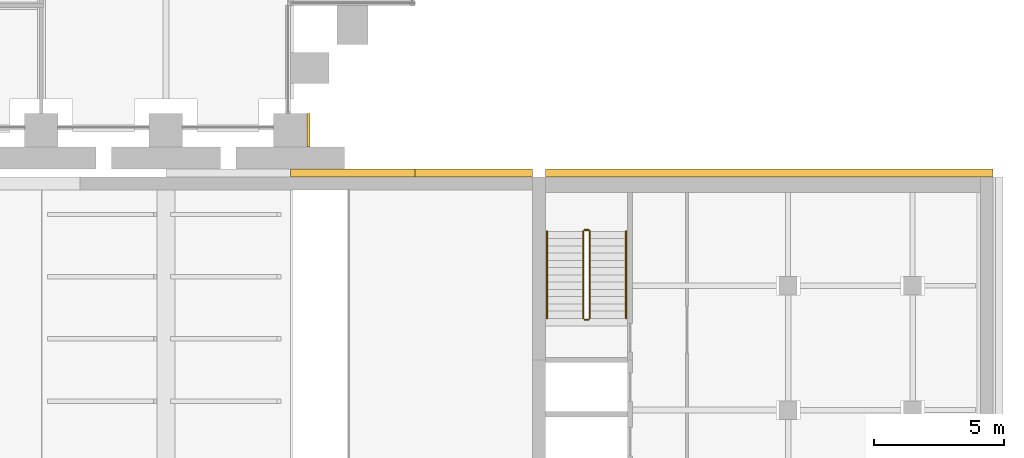
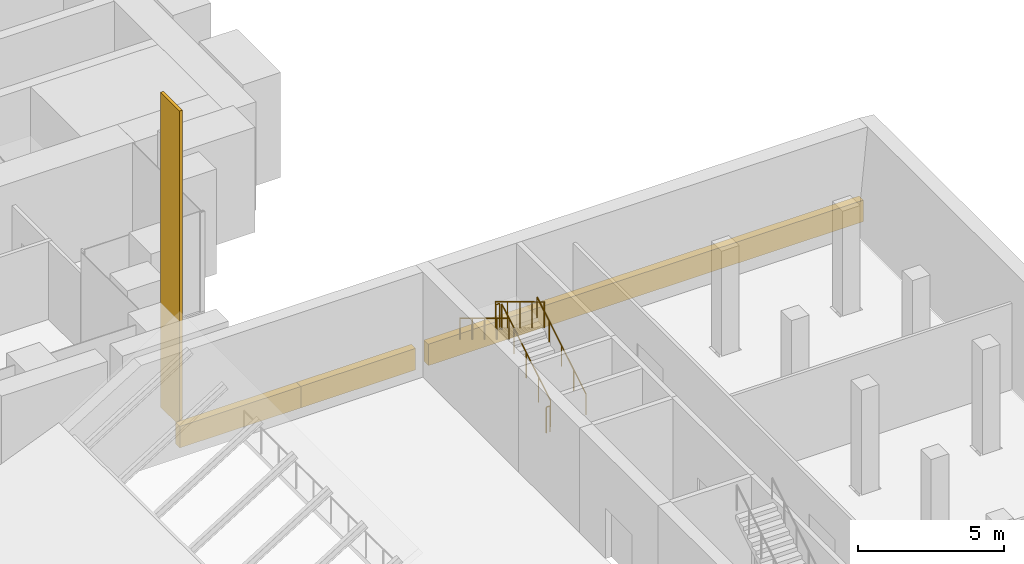
# One storey, part 31 of 32: 6 railings, 4 coverings.
"""IFC4 building model written with IfcOpenShell, lengths in metres."""

from ifc_helpers import new_model, si_unit, direction, frame, origin, origin_2d, place, context, subcontext, project, spatial, polyline, rectangle, circle, outline, extrude, material, layer, layer_set, type_object, element, save


model = new_model("IFC4")

# Units and contexts
model_context = context("Model", 3, precision=1e-05, world=origin(), true_north=direction((0.0, 1.0)))
body_context = subcontext(model_context, "Body", "Model", "MODEL_VIEW")
ifc_project = project(units=[si_unit("LENGTHUNIT", "METRE"), si_unit("AREAUNIT", "SQUARE_METRE"), si_unit("VOLUMEUNIT", "CUBIC_METRE"), si_unit("PLANEANGLEUNIT", "RADIAN"), si_unit("MASSUNIT", "GRAM", prefix="KILO")], contexts=[model_context])

# Site, building, storey
site_placement = place(None, origin())
site = spatial("IfcSite", under=ifc_project, at=site_placement, CompositionType="ELEMENT")
building_placement = place(site_placement, origin())
building = spatial("IfcBuilding", under=site, at=building_placement, Name="Baori Bourse Tower", CompositionType="ELEMENT")
storey_placement = place(building_placement, frame((0.0, 0.0, 12.60009765625)))
storey = spatial("IfcBuildingStorey", under=building, at=storey_placement, Name="L01", CompositionType="ELEMENT", Elevation=12.60009765625)

# Coverings
ifc_material_1 = material(Name="Face brick", Category="masonry")
ifc_layer_1 = layer(ifc_material_1, 0.110107421875)
ifc_layer_set_1 = layer_set([ifc_layer_1], Name="PC1 Brick pier facing")
covering_type_1 = type_object("IfcCoveringType", Name="PC1 Brick pier facing", PredefinedType="CLADDING", material=ifc_layer_set_1)
covering_1_placement = place(storey_placement, frame((48.705078125, 0.0, 0.0), z_axis=(0.0, 0.0, 1.0), x_axis=(1.0, 0.0, 0.0)))
element("IfcCovering", 1, at=covering_1_placement, inside=storey, type_object=covering_type_1, Name="Brick pier facing L01 3", PredefinedType="CLADDING", context=body_context, shape_type="SweptSolid", body=[
    extrude(rectangle(XDim=0.110107421875, YDim=1.300048828125, at=origin_2d()), origin(), (0.0, 0.0, 1.0), 13.199951171875),
])
ifc_material_2 = material(Name="Pale anodised aluminium", Category="aluminium")
ifc_layer_2 = layer(ifc_material_2, 0.300048828125)
ifc_layer_set_2 = layer_set([ifc_layer_2], Name="Pale metal band 900x300")
covering_type_2 = type_object("IfcCoveringType", Name="Pale metal band 900x300", PredefinedType="CLADDING", material=ifc_layer_set_2)
covering_2_placement = place(storey_placement, origin())
element("IfcCovering", 2, at=covering_2_placement, inside=storey, type_object=covering_type_2, Name="BAND", PredefinedType="CLADDING", context=body_context, shape_type="SweptSolid", body=[
    extrude(outline(polyline([(48.0, -1.800048828125), (52.800048828125, -1.800048828125), (52.800048828125, -1.5), (48.0, -1.5), (48.0, -1.800048828125)])), origin(), (0.0, 0.0, 1.0), 0.89990234375),
])
covering_3_placement = place(storey_placement, origin())
element("IfcCovering", 3, at=covering_3_placement, inside=storey, type_object=covering_type_2, Name="BAND", PredefinedType="CLADDING", context=body_context, shape_type="SweptSolid", body=[
    extrude(outline(polyline([(52.800048828125, -1.800048828125), (57.35009765625, -1.800048828125), (57.35009765625, -1.5), (52.800048828125, -1.5), (52.800048828125, -1.800048828125)])), origin(), (0.0, 0.0, 1.0), 0.89990234375),
])
covering_4_placement = place(storey_placement, origin())
element("IfcCovering", 4, at=covering_4_placement, inside=storey, type_object=covering_type_2, Name="BAND", PredefinedType="CLADDING", context=body_context, shape_type="SweptSolid", body=[
    extrude(outline(polyline([(75.105224609375, -1.5), (57.85009765625, -1.5), (57.85009765625, -1.800048828125), (75.105224609375, -1.800048828125), (75.105224609375, -1.5)])), origin(), (0.0, 0.0, 1.0), 0.89990234375),
])

# Railings
ifc_material_3 = material(Name="Stainless steel AISI 316", Category="steel")
railing_type_1 = type_object("IfcRailingType", Name="Wing guard 1100", PredefinedType="GUARDRAIL", material=ifc_material_3)
railing_1_placement = place(storey_placement, frame((59.550048828125, -7.260009765625, 0.169189453125)))
element("IfcRailing", 5, at=railing_1_placement, inside=storey, type_object=railing_type_1, Name="L01 E-STA stair guard 1", PredefinedType="GUARDRAIL", context=body_context, shape_type="SweptSolid", body=[
    extrude(circle(Radius=0.02392578125, at=origin_2d()), frame((0.0, 0.0, 1.076171875), z_axis=(0.0, 0.855836976705, 0.517245656632), x_axis=(-1.0, 0.0, 0.0)), (0.0, 0.0, 1.0), 3.926025390625),
    extrude(circle(Radius=0.02099609375, at=origin_2d()), origin(), (0.0, 0.0, 1.0), 1.052001953125),
    extrude(circle(Radius=0.02099609375, at=origin_2d()), frame((0.0, 0.840087890625, 0.5078125)), (0.0, 0.0, 1.0), 1.052001953125),
    extrude(circle(Radius=0.02099609375, at=origin_2d()), frame((0.0, 1.68017578125, 1.015380859375)), (0.0, 0.0, 1.0), 1.052001953125),
    extrude(circle(Radius=0.02099609375, at=origin_2d()), frame((0.0, 2.52001953125, 1.52294921875)), (0.0, 0.0, 1.0), 1.052001953125),
    extrude(circle(Radius=0.02099609375, at=origin_2d()), frame((0.0, 3.360107421875, 2.03076171875)), (0.0, 0.0, 1.0), 1.052001953125),
])
railing_2_placement = place(storey_placement, frame((59.5, -3.85009765625, 2.199951171875)))
element("IfcRailing", 6, at=railing_2_placement, inside=storey, type_object=railing_type_1, Name="L01 E-STA stair guard 2", PredefinedType="GUARDRAIL", context=body_context, shape_type="SweptSolid", body=[
    extrude(circle(Radius=0.02392578125, at=origin_2d()), frame((0.0, 0.0, 1.076171875), z_axis=(-1.0, 0.0, 0.0), x_axis=(0.0, -1.0, 0.0)), (0.0, 0.0, 1.0), 0.14990234375),
    extrude(circle(Radius=0.02099609375, at=origin_2d()), origin(), (0.0, 0.0, 1.0), 1.052001953125),
    extrude(circle(Radius=0.02099609375, at=origin_2d()), frame((-0.14990234375, 0.0, 0.0)), (0.0, 0.0, 1.0), 1.052001953125),
])
railing_3_placement = place(storey_placement, frame((59.300048828125, -3.89990234375, 2.369140625)))
element("IfcRailing", 7, at=railing_3_placement, inside=storey, type_object=railing_type_1, Name="L01 E-STA stair guard 3", PredefinedType="GUARDRAIL", context=body_context, shape_type="SweptSolid", body=[
    extrude(circle(Radius=0.02392578125, at=origin_2d()), frame((0.0, 0.0, 1.076171875), z_axis=(0.0, -0.855836976705, 0.517245656632), x_axis=(1.0, 0.0, 0.0)), (0.0, 0.0, 1.0), 3.926025390625),
    extrude(circle(Radius=0.02099609375, at=origin_2d()), origin(), (0.0, 0.0, 1.0), 1.052001953125),
    extrude(circle(Radius=0.02099609375, at=origin_2d()), frame((0.0, -0.840087890625, 0.5078125)), (0.0, 0.0, 1.0), 1.052001953125),
    extrude(circle(Radius=0.02099609375, at=origin_2d()), frame((0.0, -1.68017578125, 1.015380859375)), (0.0, 0.0, 1.0), 1.052001953125),
    extrude(circle(Radius=0.02099609375, at=origin_2d()), frame((0.0, -2.52001953125, 1.52294921875)), (0.0, 0.0, 1.0), 1.052001953125),
    extrude(circle(Radius=0.02099609375, at=origin_2d()), frame((0.0, -3.360107421875, 2.03076171875)), (0.0, 0.0, 1.0), 1.052001953125),
])
railing_4_placement = place(storey_placement, frame((59.5, -7.31005859375, 0.0)))
element("IfcRailing", 8, at=railing_4_placement, inside=storey, type_object=railing_type_1, Name="L01 E-STA stair guard 4", PredefinedType="GUARDRAIL", context=body_context, shape_type="SweptSolid", body=[
    extrude(circle(Radius=0.02392578125, at=origin_2d()), frame((0.0, 0.0, 1.076171875), z_axis=(-1.0, 0.0, 0.0), x_axis=(0.0, -1.0, 0.0)), (0.0, 0.0, 1.0), 0.14990234375),
    extrude(circle(Radius=0.02099609375, at=origin_2d()), origin(), (0.0, 0.0, 1.0), 1.052001953125),
    extrude(circle(Radius=0.02099609375, at=origin_2d()), frame((-0.14990234375, 0.0, 0.0)), (0.0, 0.0, 1.0), 1.052001953125),
])
ifc_material_4 = material(Name="Stainless steel AISI 316", Category="steel")
railing_type_2 = type_object("IfcRailingType", Name="Wing handrail 900", PredefinedType="HANDRAIL", material=ifc_material_4)
railing_5_placement = place(storey_placement, frame((60.949951171875, -7.260009765625, 0.169189453125)))
element("IfcRailing", 9, at=railing_5_placement, inside=storey, type_object=railing_type_2, Name="L01 E-STA stair handrail 1", PredefinedType="HANDRAIL", context=body_context, shape_type="SweptSolid", body=[
    extrude(circle(Radius=0.02392578125, at=origin_2d()), frame((0.0, 0.0, 0.8759765625), z_axis=(0.0, 0.855836976705, 0.517245656632), x_axis=(-1.0, 0.0, 0.0)), (0.0, 0.0, 1.0), 3.926025390625),
    extrude(circle(Radius=0.02099609375, at=origin_2d()), origin(), (0.0, 0.0, 1.0), 0.851806640625),
    extrude(circle(Radius=0.02099609375, at=origin_2d()), frame((0.0, 0.840087890625, 0.5078125)), (0.0, 0.0, 1.0), 0.851806640625),
    extrude(circle(Radius=0.02099609375, at=origin_2d()), frame((0.0, 1.68017578125, 1.015380859375)), (0.0, 0.0, 1.0), 0.851806640625),
    extrude(circle(Radius=0.02099609375, at=origin_2d()), frame((0.0, 2.52001953125, 1.52294921875)), (0.0, 0.0, 1.0), 0.851806640625),
    extrude(circle(Radius=0.02099609375, at=origin_2d()), frame((0.0, 3.360107421875, 2.03076171875)), (0.0, 0.0, 1.0), 0.851806640625),
])
railing_6_placement = place(storey_placement, frame((57.89990234375, -3.89990234375, 2.369140625)))
element("IfcRailing", 10, at=railing_6_placement, inside=storey, type_object=railing_type_2, Name="L01 E-STA stair handrail 2", PredefinedType="HANDRAIL", context=body_context, shape_type="SweptSolid", body=[
    extrude(circle(Radius=0.02392578125, at=origin_2d()), frame((0.0, 0.0, 0.8759765625), z_axis=(0.0, -0.855836976705, 0.517245656632), x_axis=(1.0, 0.0, 0.0)), (0.0, 0.0, 1.0), 3.926025390625),
    extrude(circle(Radius=0.02099609375, at=origin_2d()), origin(), (0.0, 0.0, 1.0), 0.851806640625),
    extrude(circle(Radius=0.02099609375, at=origin_2d()), frame((0.0, -0.840087890625, 0.5078125)), (0.0, 0.0, 1.0), 0.851806640625),
    extrude(circle(Radius=0.02099609375, at=origin_2d()), frame((0.0, -1.68017578125, 1.015380859375)), (0.0, 0.0, 1.0), 0.851806640625),
    extrude(circle(Radius=0.02099609375, at=origin_2d()), frame((0.0, -2.52001953125, 1.52294921875)), (0.0, 0.0, 1.0), 0.851806640625),
    extrude(circle(Radius=0.02099609375, at=origin_2d()), frame((0.0, -3.360107421875, 2.03076171875)), (0.0, 0.0, 1.0), 0.851806640625),
])

save(model, "model.ifc")
